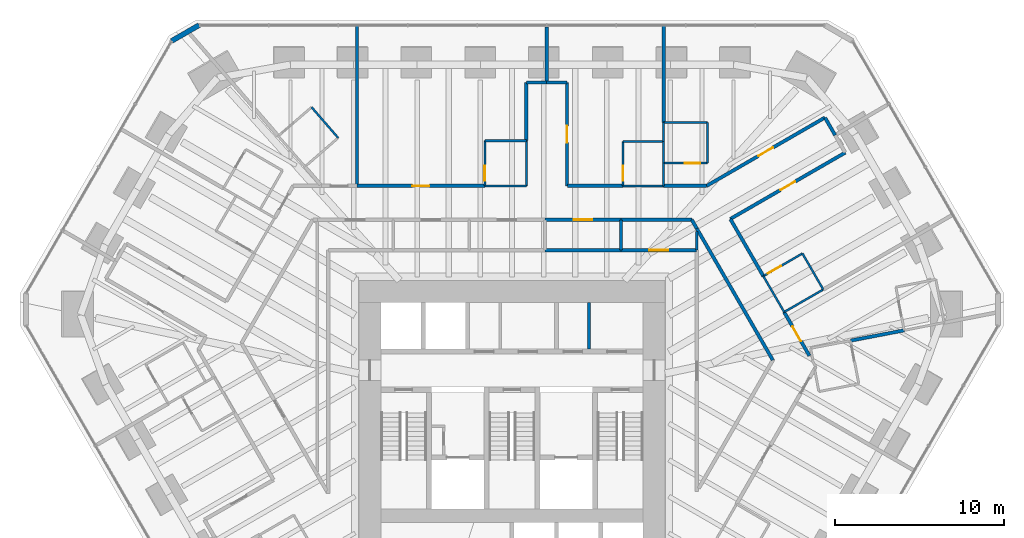
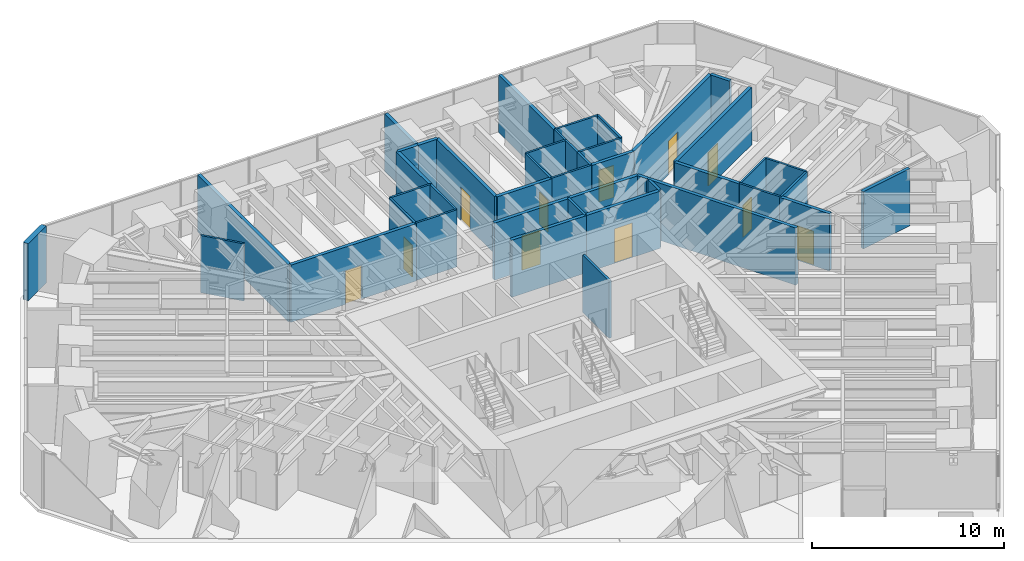
# One storey, part 15 of 17: 44 walls, 11 doors, 11 openings.
"""IFC4 building model written with IfcOpenShell, lengths in metres."""

from ifc_helpers import new_model, si_unit, direction, frame, frame_2d, origin, place, context, subcontext, project, spatial, rectangle, extrude, material, layer, layer_set, type_object, element, fill, save


model = new_model("IFC4")

# Units and contexts
model_context = context("Model", 3, precision=1e-05, world=origin(), true_north=direction((0.0, 1.0)))
body_context = subcontext(model_context, "Body", "Model", "MODEL_VIEW")
ifc_project = project(units=[si_unit("LENGTHUNIT", "METRE"), si_unit("AREAUNIT", "SQUARE_METRE"), si_unit("VOLUMEUNIT", "CUBIC_METRE"), si_unit("PLANEANGLEUNIT", "RADIAN"), si_unit("MASSUNIT", "GRAM", prefix="KILO")], contexts=[model_context])

# Site, building, storey
site_placement = place(None, origin())
site = spatial("IfcSite", under=ifc_project, at=site_placement, CompositionType="ELEMENT")
building_placement = place(site_placement, origin())
building = spatial("IfcBuilding", under=site, at=building_placement, Name="Sandreach Pilgrim Tower", CompositionType="ELEMENT")
storey_placement = place(building_placement, frame((0.0, 0.0, 169.0)))
storey = spatial("IfcBuildingStorey", under=building, at=storey_placement, Name="L42", CompositionType="ELEMENT", Elevation=169.0)

# Walls
ifc_material_1 = material(Name="Gypsum board on steel studs", Category="steel")
ifc_layer_1 = layer(ifc_material_1, 0.14990234375)
ifc_layer_set_1 = layer_set([ifc_layer_1], Name="Back of house wall 150")
wall_type_1 = type_object("IfcWallType", Name="Back of house wall 150", PredefinedType="PARTITIONING", material=ifc_layer_set_1)
wall_1_placement = place(storey_placement, frame((6.43994140625, 10.989990234375, 0.0), z_axis=(0.0, 0.0, 1.0), x_axis=(0.0, -1.0, 0.0)))
element("IfcWall", 1, at=wall_1_placement, inside=storey, type_object=wall_type_1, Name="Back of house wall L42-115", PredefinedType="PARTITIONING", context=body_context, shape_type="SweptSolid", body=[
    extrude(rectangle(XDim=1.7900390625, YDim=0.14990234375, at=frame_2d((0.89501953125, 0.0))), origin(), (0.0, 0.0, 1.0), 3.639892578125),
])
wall_2_placement = place(storey_placement, frame((10.919921875, 10.31005859375, 0.0), z_axis=(0.0, 0.0, 1.0), x_axis=(0.0, -1.0, 0.0)))
element("IfcWall", 2, at=wall_2_placement, inside=storey, type_object=wall_type_1, Name="Back of house wall L42-140", PredefinedType="PARTITIONING", context=body_context, shape_type="SweptSolid", body=[
    extrude(rectangle(XDim=1.110107421875, YDim=0.14990234375, at=frame_2d((0.55517578125, 0.0))), origin(), (0.0, 0.0, 1.0), 3.639892578125),
])
wall_3_placement = place(storey_placement, frame((4.550048828125, 3.35009765625, 0.0), z_axis=(0.0, 0.0, 1.0), x_axis=(0.0, 1.0, 0.0)))
element("IfcWall", 3, at=wall_3_placement, inside=storey, type_object=wall_type_1, Name="Core room partition L42 2", PredefinedType="PARTITIONING", context=body_context, shape_type="SweptSolid", body=[
    extrude(rectangle(XDim=2.75, YDim=0.14990234375, at=frame_2d((1.375, 0.0))), origin(), (0.0, 0.0, 1.0), 3.639892578125),
])
ifc_material_2 = material(Name="Moisture-resistant gypsum board on steel studs", Category="steel")
ifc_layer_2 = layer(ifc_material_2, 0.1201171875)
ifc_layer_set_2 = layer_set([ifc_layer_2], Name="Bathroom partition 120")
wall_type_2 = type_object("IfcWallType", Name="Bathroom partition 120", PredefinedType="PARTITIONING", material=ifc_layer_set_2)
wall_4_placement = place(storey_placement, frame((-10.27001953125, 15.830078125, 0.0), z_axis=(0.0, 0.0, 1.0), x_axis=(-0.655302876176, 0.755366229372, 0.0)))
element("IfcWall", 4, at=wall_4_placement, inside=storey, type_object=wall_type_2, Name="Bathroom partition L42-055", PredefinedType="PARTITIONING", context=body_context, shape_type="SweptSolid", body=[
    extrude(rectangle(XDim=2.39599609375, YDim=0.1201171875, at=frame_2d((1.197998046875, 0.0))), origin(), (0.0, 0.0, 1.0), 3.639892578125),
])

# Wall, opening, door
wall_5_placement = place(storey_placement, frame((-1.60009765625, 15.659912109375, 0.0), z_axis=(0.0, 0.0, 1.0), x_axis=(0.0, -1.0, 0.0)))
wall_5 = element("IfcWall", 5, at=wall_5_placement, inside=storey, type_object=wall_type_2, Name="Bathroom partition L42-088", PredefinedType="PARTITIONING", context=body_context, shape_type="SweptSolid", body=[
    extrude(rectangle(XDim=2.669921875, YDim=0.1201171875, at=frame_2d((1.3349609375, 0.0))), origin(), (0.0, 0.0, 1.0), 3.639892578125),
])
opening_1_placement = place(wall_5_placement, frame((1.469970703125, 0.0, 0.0)))
opening_1 = element("IfcOpeningElement", 6, at=opening_1_placement, cuts=wall_5, Name="Opening D09-02B", PredefinedType="OPENING", context=body_context, shape_type="SweptSolid", body=[
    extrude(rectangle(XDim=0.89990234375, YDim=2.030029296875, at=frame_2d((0.449951171875, 1.01513671875))), frame((0.0, 0.06005859375, 0.0), z_axis=(0.0, -1.0, 0.0), x_axis=(1.0, 0.0, 0.0)), (0.0, 0.0, 1.0), 0.1201171875),
])
ifc_material_3 = material(Name="Timber door, steel frame", Category="steel")
door_type_1 = type_object("IfcDoorType", Name="Bathroom door", OperationType="SINGLE_SWING_LEFT", PredefinedType="DOOR", material=ifc_material_3)
door_1_placement = place(opening_1_placement, origin())
door_1 = element("IfcDoor", 7, at=door_1_placement, inside=storey, type_object=door_type_1, Name="Door 4202B", OperationType="SINGLE_SWING_RIGHT", OverallHeight=2.030029296875, OverallWidth=0.89990234375, PredefinedType="DOOR", context=body_context, shape_type="SweptSolid", body=[
    extrude(rectangle(XDim=0.89990234375, YDim=2.030029296875, at=frame_2d((0.449951171875, 1.01513671875))), frame((0.0, 0.02490234375, 0.0), z_axis=(0.0, -1.0, 0.0), x_axis=(1.0, 0.0, 0.0)), (0.0, 0.0, 1.0), 0.050048828125),
])
fill(opening_1, door_1)

# Walls
for number, where, z_axis, x_axis, name in (
    (8, (0.85009765625, 12.989990234375, 0.0), (0.0, 0.0, 1.0), (-1.0, 0.0, 0.0), "Bathroom partition L42-092"),
    (9, (0.85009765625, 15.659912109375, 0.0), (0.0, 0.0, 1.0), (-1.0, 0.0, 0.0), "Bathroom partition L42-093"),
):
    element("IfcWall", number, at=place(storey_placement, frame(where, z_axis=z_axis, x_axis=x_axis)), inside=storey, type_object=wall_type_2, Name=name, PredefinedType="PARTITIONING", context=body_context, shape_type="SweptSolid", body=[
        extrude(rectangle(XDim=2.4501953125, YDim=0.1201171875, at=frame_2d((1.22509765625, 0.0))), origin(), (0.0, 0.0, 1.0), 3.639892578125),
    ])
wall_6_placement = place(storey_placement, frame((0.85009765625, 15.659912109375, 0.0), z_axis=(0.0, 0.0, 1.0), x_axis=(0.0, -1.0, 0.0)))
element("IfcWall", 10, at=wall_6_placement, inside=storey, type_object=wall_type_2, Name="Bathroom partition L42-094", PredefinedType="PARTITIONING", context=body_context, shape_type="SweptSolid", body=[
    extrude(rectangle(XDim=2.669921875, YDim=0.1201171875, at=frame_2d((1.3349609375, 0.0))), origin(), (0.0, 0.0, 1.0), 3.639892578125),
])

# Wall, opening, door
wall_7_placement = place(storey_placement, frame((6.56005859375, 15.610107421875, 0.0), z_axis=(0.0, 0.0, 1.0), x_axis=(0.0, -1.0, 0.0)))
wall_7 = element("IfcWall", 11, at=wall_7_placement, inside=storey, type_object=wall_type_2, Name="Bathroom partition L42-118", PredefinedType="PARTITIONING", context=body_context, shape_type="SweptSolid", body=[
    extrude(rectangle(XDim=2.6201171875, YDim=0.1201171875, at=frame_2d((1.31005859375, 0.0))), origin(), (0.0, 0.0, 1.0), 3.639892578125),
])
opening_2_placement = place(wall_7_placement, frame((1.419921875, 0.0, 0.0)))
opening_2 = element("IfcOpeningElement", 12, at=opening_2_placement, cuts=wall_7, Name="Opening D09-03B", PredefinedType="OPENING", context=body_context, shape_type="SweptSolid", body=[
    extrude(rectangle(XDim=0.89990234375, YDim=2.030029296875, at=frame_2d((0.449951171875, 1.01513671875))), frame((0.0, 0.06005859375, 0.0), z_axis=(0.0, -1.0, 0.0), x_axis=(1.0, 0.0, 0.0)), (0.0, 0.0, 1.0), 0.1201171875),
])
door_2_placement = place(opening_2_placement, origin())
door_2 = element("IfcDoor", 13, at=door_2_placement, inside=storey, type_object=door_type_1, Name="Door 4203B", OperationType="SINGLE_SWING_RIGHT", OverallHeight=2.030029296875, OverallWidth=0.89990234375, PredefinedType="DOOR", context=body_context, shape_type="SweptSolid", body=[
    extrude(rectangle(XDim=0.89990234375, YDim=2.030029296875, at=frame_2d((0.449951171875, 1.01513671875))), frame((0.0, 0.02490234375, 0.0), z_axis=(0.0, -1.0, 0.0), x_axis=(1.0, 0.0, 0.0)), (0.0, 0.0, 1.0), 0.050048828125),
])
fill(opening_2, door_2)

# Walls
wall_8_placement = place(storey_placement, frame((8.9599609375, 12.989990234375, 0.0), z_axis=(0.0, 0.0, 1.0), x_axis=(-1.0, 0.0, 0.0)))
element("IfcWall", 14, at=wall_8_placement, inside=storey, type_object=wall_type_2, Name="Bathroom partition L42-126", PredefinedType="PARTITIONING", context=body_context, shape_type="SweptSolid", body=[
    extrude(rectangle(XDim=2.39990234375, YDim=0.1201171875, at=frame_2d((1.199951171875, 0.0))), origin(), (0.0, 0.0, 1.0), 3.639892578125),
])
wall_9_placement = place(storey_placement, frame((8.9599609375, 14.340087890625, 0.0), z_axis=(0.0, 0.0, 1.0), x_axis=(0.0, -1.0, 0.0)))
element("IfcWall", 15, at=wall_9_placement, inside=storey, type_object=wall_type_2, Name="Bathroom partition L42-127", PredefinedType="PARTITIONING", context=body_context, shape_type="SweptSolid", body=[
    extrude(rectangle(XDim=1.35009765625, YDim=0.1201171875, at=frame_2d((0.675048828125, 0.0))), origin(), (0.0, 0.0, 1.0), 3.639892578125),
])

# Wall, opening, door
wall_10_placement = place(storey_placement, frame((8.9599609375, 14.340087890625, 0.0), z_axis=(0.0, 0.0, 1.0), x_axis=(1.0, 0.0, 0.0)))
wall_10 = element("IfcWall", 16, at=wall_10_placement, inside=storey, type_object=wall_type_2, Name="Bathroom partition L42-128", PredefinedType="PARTITIONING", context=body_context, shape_type="SweptSolid", body=[
    extrude(rectangle(XDim=2.60009765625, YDim=0.1201171875, at=frame_2d((1.300048828125, 0.0))), origin(), (0.0, 0.0, 1.0), 3.639892578125),
])
opening_3_placement = place(wall_10_placement, frame((1.25, 0.0, 0.0)))
opening_3 = element("IfcOpeningElement", 17, at=opening_3_placement, cuts=wall_10, Name="Opening D09-04B", PredefinedType="OPENING", context=body_context, shape_type="SweptSolid", body=[
    extrude(rectangle(XDim=0.89990234375, YDim=2.030029296875, at=frame_2d((0.449951171875, 1.01513671875))), frame((0.0, 0.06005859375, 0.0), z_axis=(0.0, -1.0, 0.0), x_axis=(1.0, 0.0, 0.0)), (0.0, 0.0, 1.0), 0.1201171875),
])
door_3_placement = place(opening_3_placement, origin())
door_3 = element("IfcDoor", 18, at=door_3_placement, inside=storey, type_object=door_type_1, Name="Door 4204B", OperationType="SINGLE_SWING_RIGHT", OverallHeight=2.030029296875, OverallWidth=0.89990234375, PredefinedType="DOOR", context=body_context, shape_type="SweptSolid", body=[
    extrude(rectangle(XDim=0.89990234375, YDim=2.030029296875, at=frame_2d((0.449951171875, 1.01513671875))), frame((0.0, 0.02490234375, 0.0), z_axis=(0.0, -1.0, 0.0), x_axis=(1.0, 0.0, 0.0)), (0.0, 0.0, 1.0), 0.050048828125),
])
fill(opening_3, door_3)

# Walls
wall_11_placement = place(storey_placement, frame((8.9599609375, 15.610107421875, 0.0), z_axis=(0.0, 0.0, 1.0), x_axis=(-1.0, 0.0, 0.0)))
element("IfcWall", 19, at=wall_11_placement, inside=storey, type_object=wall_type_2, Name="Bathroom partition L42-129", PredefinedType="PARTITIONING", context=body_context, shape_type="SweptSolid", body=[
    extrude(rectangle(XDim=2.39990234375, YDim=0.1201171875, at=frame_2d((1.199951171875, 0.0))), origin(), (0.0, 0.0, 1.0), 3.639892578125),
])
wall_12_placement = place(storey_placement, frame((8.9599609375, 15.610107421875, 0.0), z_axis=(0.0, 0.0, 1.0), x_axis=(0.0, -1.0, 0.0)))
element("IfcWall", 20, at=wall_12_placement, inside=storey, type_object=wall_type_2, Name="Bathroom partition L42-130", PredefinedType="PARTITIONING", context=body_context, shape_type="SweptSolid", body=[
    extrude(rectangle(XDim=1.27001953125, YDim=0.1201171875, at=frame_2d((0.635009765625, 0.0))), origin(), (0.0, 0.0, 1.0), 3.639892578125),
])
wall_13_placement = place(storey_placement, frame((8.9599609375, 16.739990234375, 0.0), z_axis=(0.0, 0.0, 1.0), x_axis=(0.0, -1.0, 0.0)))
element("IfcWall", 21, at=wall_13_placement, inside=storey, type_object=wall_type_2, Name="Bathroom partition L42-131", PredefinedType="PARTITIONING", context=body_context, shape_type="SweptSolid", body=[
    extrude(rectangle(XDim=1.1298828125, YDim=0.1201171875, at=frame_2d((0.56494140625, 0.0))), origin(), (0.0, 0.0, 1.0), 3.639892578125),
])
wall_14_placement = place(storey_placement, frame((11.56005859375, 14.340087890625, 0.0), z_axis=(0.0, 0.0, 1.0), x_axis=(0.0, 1.0, 0.0)))
element("IfcWall", 22, at=wall_14_placement, inside=storey, type_object=wall_type_2, Name="Bathroom partition L42-143", PredefinedType="PARTITIONING", context=body_context, shape_type="SweptSolid", body=[
    extrude(rectangle(XDim=2.39990234375, YDim=0.1201171875, at=frame_2d((1.199951171875, 0.0))), origin(), (0.0, 0.0, 1.0), 3.639892578125),
])
wall_15_placement = place(storey_placement, frame((11.56005859375, 16.739990234375, 0.0), z_axis=(0.0, 0.0, 1.0), x_axis=(-1.0, 0.0, 0.0)))
element("IfcWall", 23, at=wall_15_placement, inside=storey, type_object=wall_type_2, Name="Bathroom partition L42-144", PredefinedType="PARTITIONING", context=body_context, shape_type="SweptSolid", body=[
    extrude(rectangle(XDim=2.60009765625, YDim=0.1201171875, at=frame_2d((1.300048828125, 0.0))), origin(), (0.0, 0.0, 1.0), 3.639892578125),
])
wall_16_placement = place(storey_placement, frame((14.85009765625, 7.659912109375, 0.0), z_axis=(0.0, 0.0, 1.0), x_axis=(0.501856726365, -0.86495076519, 0.0)))
element("IfcWall", 24, at=wall_16_placement, inside=storey, type_object=wall_type_2, Name="Bathroom partition L42-152", PredefinedType="PARTITIONING", context=body_context, shape_type="SweptSolid", body=[
    extrude(rectangle(XDim=2.450927734375, YDim=0.1201171875, at=frame_2d((1.2255859375, 0.0))), origin(), (0.0, 0.0, 1.0), 3.639892578125),
])
wall_17_placement = place(storey_placement, frame((16.080078125, 5.5400390625, 0.0), z_axis=(0.0, 0.0, 1.0), x_axis=(0.86663205897, 0.498947767172, 0.0)))
element("IfcWall", 25, at=wall_17_placement, inside=storey, type_object=wall_type_2, Name="Bathroom partition L42-158", PredefinedType="PARTITIONING", context=body_context, shape_type="SweptSolid", body=[
    extrude(rectangle(XDim=2.665283203125, YDim=0.1201171875, at=frame_2d((1.33251953125, 0.0))), origin(), (0.0, 0.0, 1.0), 3.639892578125),
])

# Wall, opening, door
wall_18_placement = place(storey_placement, frame((17.159912109375, 9.0, 0.0), z_axis=(0.0, 0.0, 1.0), x_axis=(-0.864966903181, -0.501828911485, 0.0)))
wall_18 = element("IfcWall", 26, at=wall_18_placement, inside=storey, type_object=wall_type_2, Name="Bathroom partition L42-160", PredefinedType="PARTITIONING", context=body_context, shape_type="SweptSolid", body=[
    extrude(rectangle(XDim=2.67041015625, YDim=0.1201171875, at=frame_2d((1.335205078125, 0.0))), origin(), (0.0, 0.0, 1.0), 3.639892578125),
])
opening_4_placement = place(wall_18_placement, frame((1.470458984375, 0.0, 0.0)))
opening_4 = element("IfcOpeningElement", 27, at=opening_4_placement, cuts=wall_18, Name="Opening D09-05B", PredefinedType="OPENING", context=body_context, shape_type="SweptSolid", body=[
    extrude(rectangle(XDim=0.89990234375, YDim=2.030029296875, at=frame_2d((0.449951171875, 1.01513671875))), frame((0.0, 0.06005859375, 0.0), z_axis=(0.0, -1.0, 0.0), x_axis=(1.0, 0.0, 0.0)), (0.0, 0.0, 1.0), 0.1201171875),
])
door_4_placement = place(opening_4_placement, origin())
door_4 = element("IfcDoor", 28, at=door_4_placement, inside=storey, type_object=door_type_1, Name="Door 4205B", OperationType="SINGLE_SWING_RIGHT", OverallHeight=2.030029296875, OverallWidth=0.89990234375, PredefinedType="DOOR", context=body_context, shape_type="SweptSolid", body=[
    extrude(rectangle(XDim=0.89990234375, YDim=2.030029296875, at=frame_2d((0.449951171875, 1.01513671875))), frame((0.0, 0.02490234375, 0.0), z_axis=(0.0, -1.0, 0.0), x_axis=(1.0, 0.0, 0.0)), (0.0, 0.0, 1.0), 0.050048828125),
])
fill(opening_4, door_4)

# Wall
wall_19_placement = place(storey_placement, frame((18.389892578125, 6.8701171875, 0.0), z_axis=(0.0, 0.0, 1.0), x_axis=(-0.500089055364, 0.86597398154, 0.0)))
element("IfcWall", 29, at=wall_19_placement, inside=storey, type_object=wall_type_2, Name="Bathroom partition L42-168", PredefinedType="PARTITIONING", context=body_context, shape_type="SweptSolid", body=[
    extrude(rectangle(XDim=2.45947265625, YDim=0.1201171875, at=frame_2d((1.229736328125, 0.0))), origin(), (0.0, 0.0, 1.0), 3.639892578125),
])

# Wall, opening, door
ifc_material_4 = material(Name="Gypsum board on steel studs, two layers each side", Category="steel")
ifc_layer_3 = layer(ifc_material_4, 0.199951171875)
ifc_layer_set_3 = layer_set([ifc_layer_3], Name="Corridor wall 200")
wall_type_3 = type_object("IfcWallType", Name="Corridor wall 200", PredefinedType="PARTITIONING", material=ifc_layer_set_3)
wall_20_placement = place(storey_placement, frame((-1.60009765625, 12.989990234375, 0.0), z_axis=(0.0, 0.0, 1.0), x_axis=(-1.0, 0.0, 0.0)))
wall_20 = element("IfcWall", 30, at=wall_20_placement, inside=storey, type_object=wall_type_3, Name="Corridor wall L42-087", PredefinedType="PARTITIONING", context=body_context, shape_type="SweptSolid", body=[
    extrude(rectangle(XDim=7.559814453125, YDim=0.199951171875, at=frame_2d((3.77978515625, 0.0))), origin(), (0.0, 0.0, 1.0), 3.639892578125),
])
opening_5_placement = place(wall_20_placement, frame((3.280029296875, 0.0, 0.0)))
opening_5 = element("IfcOpeningElement", 31, at=opening_5_placement, cuts=wall_20, Name="Opening D10-02", PredefinedType="OPENING", context=body_context, shape_type="SweptSolid", body=[
    extrude(rectangle(XDim=1.0, YDim=2.1298828125, at=frame_2d((0.5, 1.06494140625))), frame((0.0, 0.10009765625, 0.0), z_axis=(0.0, -1.0, 0.0), x_axis=(1.0, 0.0, 0.0)), (0.0, 0.0, 1.0), 0.199951171875),
])
ifc_material_5 = material(Name="Steel door and frame", Category="steel")
door_type_2 = type_object("IfcDoorType", Name="Guest room entry door", OperationType="SINGLE_SWING_LEFT", PredefinedType="DOOR", material=ifc_material_5)
door_5_placement = place(opening_5_placement, origin())
door_5 = element("IfcDoor", 32, at=door_5_placement, inside=storey, type_object=door_type_2, Name="Door 4202", OperationType="SINGLE_SWING_LEFT", OverallHeight=2.1298828125, OverallWidth=1.0, PredefinedType="DOOR", context=body_context, shape_type="SweptSolid", body=[
    extrude(rectangle(XDim=1.0, YDim=2.1298828125, at=frame_2d((0.5, 1.06494140625))), frame((0.0, 0.02490234375, 0.0), z_axis=(0.0, -1.0, 0.0), x_axis=(1.0, 0.0, 0.0)), (0.0, 0.0, 1.0), 0.050048828125),
])
fill(opening_5, door_5)

# Wall
wall_21_placement = place(storey_placement, frame((0.85009765625, 19.10009765625, 0.0), z_axis=(0.0, 0.0, 1.0), x_axis=(0.0, -1.0, 0.0)))
element("IfcWall", 33, at=wall_21_placement, inside=storey, type_object=wall_type_3, Name="Corridor wall L42-095", PredefinedType="PARTITIONING", context=body_context, shape_type="SweptSolid", body=[
    extrude(rectangle(XDim=3.440185546875, YDim=0.199951171875, at=frame_2d((1.72021484375, 0.0))), origin(), (0.0, 0.0, 1.0), 3.639892578125),
])

# Wall, opening, door
wall_22_placement = place(storey_placement, frame((1.949951171875, 10.989990234375, 0.0), z_axis=(0.0, 0.0, 1.0), x_axis=(1.0, 0.0, 0.0)))
wall_22 = element("IfcWall", 34, at=wall_22_placement, inside=storey, type_object=wall_type_3, Name="Corridor wall L42-100", PredefinedType="PARTITIONING", context=body_context, shape_type="SweptSolid", body=[
    extrude(rectangle(XDim=4.489990234375, YDim=0.199951171875, at=frame_2d((2.2451171875, 0.0))), origin(), (0.0, 0.0, 1.0), 3.639892578125),
])
opening_6_placement = place(wall_22_placement, frame((1.695068359375, 0.0, 0.0)))
opening_6 = element("IfcOpeningElement", 35, at=opening_6_placement, cuts=wall_22, Name="Opening D11H-M05", PredefinedType="OPENING", context=body_context, shape_type="SweptSolid", body=[
    extrude(rectangle(XDim=1.10009765625, YDim=2.199951171875, at=frame_2d((0.550048828125, 1.10009765625))), frame((0.0, 0.10009765625, 0.0), z_axis=(0.0, -1.0, 0.0), x_axis=(1.0, 0.0, 0.0)), (0.0, 0.0, 1.0), 0.199951171875),
])
ifc_material_6 = material(Name="Steel door and frame", Category="steel")
door_type_3 = type_object("IfcDoorType", Name="Back of house door", OperationType="SINGLE_SWING_LEFT", PredefinedType="DOOR", material=ifc_material_6)
door_6_placement = place(opening_6_placement, origin())
door_6 = element("IfcDoor", 36, at=door_6_placement, inside=storey, type_object=door_type_3, Name="Door 42M05", OperationType="SINGLE_SWING_LEFT", OverallHeight=2.199951171875, OverallWidth=1.10009765625, PredefinedType="DOOR", context=body_context, shape_type="SweptSolid", body=[
    extrude(rectangle(XDim=1.10009765625, YDim=2.199951171875, at=frame_2d((0.550048828125, 1.10009765625))), frame((0.0, 0.02490234375, 0.0), z_axis=(0.0, -1.0, 0.0), x_axis=(1.0, 0.0, 0.0)), (0.0, 0.0, 1.0), 0.050048828125),
])
fill(opening_6, door_6)

# Walls
for number, where, z_axis, x_axis, name in (
    (37, (2.050048828125, 19.10009765625, 0.0), (0.0, 0.0, 1.0), (-1.0, 0.0, 0.0), "Corridor wall L42-101"),
    (38, (3.235107421875, 19.10009765625, 0.0), (0.0, 0.0, 1.0), (-1.0, 0.0, 0.0), "Corridor wall L42-105"),
):
    element("IfcWall", number, at=place(storey_placement, frame(where, z_axis=z_axis, x_axis=x_axis)), inside=storey, type_object=wall_type_3, Name=name, PredefinedType="PARTITIONING", context=body_context, shape_type="SweptSolid", body=[
        extrude(rectangle(XDim=1.18505859375, YDim=0.199951171875, at=frame_2d((0.592529296875, 0.0))), origin(), (0.0, 0.0, 1.0), 3.639892578125),
    ])

# Wall, opening, door
wall_23_placement = place(storey_placement, frame((3.25, 12.989990234375, 0.0), z_axis=(0.0, 0.0, 1.0), x_axis=(0.0, 1.0, 0.0)))
wall_23 = element("IfcWall", 39, at=wall_23_placement, inside=storey, type_object=wall_type_3, Name="Corridor wall L42-106", PredefinedType="PARTITIONING", context=body_context, shape_type="SweptSolid", body=[
    extrude(rectangle(XDim=6.110107421875, YDim=0.199951171875, at=frame_2d((3.05517578125, 0.0))), origin(), (0.0, 0.0, 1.0), 3.639892578125),
])
opening_7_placement = place(wall_23_placement, frame((2.554931640625, 0.0, 0.0)))
opening_7 = element("IfcOpeningElement", 40, at=opening_7_placement, cuts=wall_23, Name="Opening D10-03", PredefinedType="OPENING", context=body_context, shape_type="SweptSolid", body=[
    extrude(rectangle(XDim=1.0, YDim=2.1298828125, at=frame_2d((0.5, 1.06494140625))), frame((0.0, 0.10009765625, 0.0), z_axis=(0.0, -1.0, 0.0), x_axis=(1.0, 0.0, 0.0)), (0.0, 0.0, 1.0), 0.199951171875),
])
door_7_placement = place(opening_7_placement, origin())
door_7 = element("IfcDoor", 41, at=door_7_placement, inside=storey, type_object=door_type_2, Name="Door 4203", OperationType="SINGLE_SWING_LEFT", OverallHeight=2.1298828125, OverallWidth=1.0, PredefinedType="DOOR", context=body_context, shape_type="SweptSolid", body=[
    extrude(rectangle(XDim=1.0, YDim=2.1298828125, at=frame_2d((0.5, 1.06494140625))), frame((0.0, 0.02490234375, 0.0), z_axis=(0.0, -1.0, 0.0), x_axis=(1.0, 0.0, 0.0)), (0.0, 0.0, 1.0), 0.050048828125),
])
fill(opening_7, door_7)

# Walls
wall_24_placement = place(storey_placement, frame((6.43994140625, 9.199951171875, 0.0), z_axis=(0.0, 0.0, 1.0), x_axis=(-1.0, 0.0, 0.0)))
element("IfcWall", 42, at=wall_24_placement, inside=storey, type_object=wall_type_3, Name="Corridor wall L42-114", PredefinedType="PARTITIONING", context=body_context, shape_type="SweptSolid", body=[
    extrude(rectangle(XDim=4.489990234375, YDim=0.199951171875, at=frame_2d((2.2451171875, 0.0))), origin(), (0.0, 0.0, 1.0), 3.639892578125),
])
wall_25_placement = place(storey_placement, frame((6.43994140625, 10.989990234375, 0.0), z_axis=(0.0, 0.0, 1.0), x_axis=(1.0, 0.0, 0.0)))
element("IfcWall", 43, at=wall_25_placement, inside=storey, type_object=wall_type_3, Name="Corridor wall L42-116", PredefinedType="PARTITIONING", context=body_context, shape_type="SweptSolid", body=[
    extrude(rectangle(XDim=4.18017578125, YDim=0.199951171875, at=frame_2d((2.090087890625, 0.0))), origin(), (0.0, 0.0, 1.0), 3.639892578125),
])
wall_26_placement = place(storey_placement, frame((6.56005859375, 12.989990234375, 0.0), z_axis=(0.0, 0.0, 1.0), x_axis=(-1.0, 0.0, 0.0)))
element("IfcWall", 44, at=wall_26_placement, inside=storey, type_object=wall_type_3, Name="Corridor wall L42-117", PredefinedType="PARTITIONING", context=body_context, shape_type="SweptSolid", body=[
    extrude(rectangle(XDim=3.295166015625, YDim=0.199951171875, at=frame_2d((1.6474609375, 0.0))), origin(), (0.0, 0.0, 1.0), 3.639892578125),
])
wall_27_placement = place(storey_placement, frame((10.6201171875, 10.989990234375, 0.0), z_axis=(0.0, 0.0, 1.0), x_axis=(0.499464218792, -0.866334516308, 0.0)))
element("IfcWall", 45, at=wall_27_placement, inside=storey, type_object=wall_type_3, Name="Corridor wall L42-136", PredefinedType="PARTITIONING", context=body_context, shape_type="SweptSolid", body=[
    extrude(rectangle(XDim=0.600341796875, YDim=0.199951171875, at=frame_2d((0.30029296875, 0.0))), origin(), (0.0, 0.0, 1.0), 3.639892578125),
])

# Wall, opening, door
wall_28_placement = place(storey_placement, frame((10.905029296875, 9.199951171875, 0.0), z_axis=(0.0, 0.0, 1.0), x_axis=(-1.0, 0.0, 0.0)))
wall_28 = element("IfcWall", 46, at=wall_28_placement, inside=storey, type_object=wall_type_3, Name="Corridor wall L42-138", PredefinedType="PARTITIONING", context=body_context, shape_type="SweptSolid", body=[
    extrude(rectangle(XDim=4.465087890625, YDim=0.199951171875, at=frame_2d((2.232421875, 0.0))), origin(), (0.0, 0.0, 1.0), 3.639892578125),
])
opening_8_placement = place(wall_28_placement, frame((1.6826171875, 0.0, 0.0)))
opening_8 = element("IfcOpeningElement", 47, at=opening_8_placement, cuts=wall_28, Name="Opening D11H-M06", PredefinedType="OPENING", context=body_context, shape_type="SweptSolid", body=[
    extrude(rectangle(XDim=1.10009765625, YDim=2.199951171875, at=frame_2d((0.550048828125, 1.10009765625))), frame((0.0, 0.10009765625, 0.0), z_axis=(0.0, -1.0, 0.0), x_axis=(1.0, 0.0, 0.0)), (0.0, 0.0, 1.0), 0.199951171875),
])
door_8_placement = place(opening_8_placement, origin())
door_8 = element("IfcDoor", 48, at=door_8_placement, inside=storey, type_object=door_type_3, Name="Door 42M06", OperationType="SINGLE_SWING_LEFT", OverallHeight=2.199951171875, OverallWidth=1.10009765625, PredefinedType="DOOR", context=body_context, shape_type="SweptSolid", body=[
    extrude(rectangle(XDim=1.10009765625, YDim=2.199951171875, at=frame_2d((0.550048828125, 1.10009765625))), frame((0.0, 0.02490234375, 0.0), z_axis=(0.0, -1.0, 0.0), x_axis=(1.0, 0.0, 0.0)), (0.0, 0.0, 1.0), 0.050048828125),
])
fill(opening_8, door_8)

# Walls
wall_29_placement = place(storey_placement, frame((10.919921875, 10.469970703125, 0.0), z_axis=(0.0, 0.0, 1.0), x_axis=(0.500331533983, -0.865833907919, 0.0)))
element("IfcWall", 49, at=wall_29_placement, inside=storey, type_object=wall_type_3, Name="Corridor wall L42-141", PredefinedType="PARTITIONING", context=body_context, shape_type="SweptSolid", body=[
    extrude(rectangle(XDim=8.97412109375, YDim=0.199951171875, at=frame_2d((4.487060546875, 0.0))), origin(), (0.0, 0.0, 1.0), 3.639892578125),
])
wall_30_placement = place(storey_placement, frame((11.489990234375, 12.989990234375, 0.0), z_axis=(0.0, 0.0, 1.0), x_axis=(-1.0, 0.0, 0.0)))
element("IfcWall", 50, at=wall_30_placement, inside=storey, type_object=wall_type_3, Name="Corridor wall L42-142", PredefinedType="PARTITIONING", context=body_context, shape_type="SweptSolid", body=[
    extrude(rectangle(XDim=2.530029296875, YDim=0.199951171875, at=frame_2d((1.26513671875, 0.0))), origin(), (0.0, 0.0, 1.0), 3.639892578125),
])

# Wall, opening, door
wall_31_placement = place(storey_placement, frame((12.89990234375, 11.0400390625, 0.0), z_axis=(0.0, 0.0, 1.0), x_axis=(0.866042469362, 0.499970440388, 0.0)))
wall_31 = element("IfcWall", 51, at=wall_31_placement, inside=storey, type_object=wall_type_3, Name="Corridor wall L42-146", PredefinedType="PARTITIONING", context=body_context, shape_type="SweptSolid", body=[
    extrude(rectangle(XDim=7.84033203125, YDim=0.199951171875, at=frame_2d((3.920166015625, 0.0))), origin(), (0.0, 0.0, 1.0), 3.639892578125),
])
opening_9_placement = place(wall_31_placement, frame((3.420166015625, 0.0, 0.0)))
opening_9 = element("IfcOpeningElement", 52, at=opening_9_placement, cuts=wall_31, Name="Opening D10-05", PredefinedType="OPENING", context=body_context, shape_type="SweptSolid", body=[
    extrude(rectangle(XDim=1.0, YDim=2.1298828125, at=frame_2d((0.5, 1.06494140625))), frame((0.0, 0.10009765625, 0.0), z_axis=(0.0, -1.0, 0.0), x_axis=(1.0, 0.0, 0.0)), (0.0, 0.0, 1.0), 0.199951171875),
])
door_9_placement = place(opening_9_placement, origin())
door_9 = element("IfcDoor", 53, at=door_9_placement, inside=storey, type_object=door_type_2, Name="Door 4205", OperationType="SINGLE_SWING_LEFT", OverallHeight=2.1298828125, OverallWidth=1.0, PredefinedType="DOOR", context=body_context, shape_type="SweptSolid", body=[
    extrude(rectangle(XDim=1.0, YDim=2.1298828125, at=frame_2d((0.5, 1.06494140625))), frame((0.0, 0.02490234375, 0.0), z_axis=(0.0, -1.0, 0.0), x_axis=(1.0, 0.0, 0.0)), (0.0, 0.0, 1.0), 0.050048828125),
])
fill(opening_9, door_9)

# Wall
wall_32_placement = place(storey_placement, frame((12.905029296875, 11.03125, 0.0), z_axis=(0.0, 0.0, 1.0), x_axis=(0.499735123875, -0.866178276087, 0.0)))
element("IfcWall", 54, at=wall_32_placement, inside=storey, type_object=wall_type_3, Name="Corridor wall L42-147", PredefinedType="PARTITIONING", context=body_context, shape_type="SweptSolid", body=[
    extrude(rectangle(XDim=3.89208984375, YDim=0.199951171875, at=frame_2d((1.946044921875, 0.0))), origin(), (0.0, 0.0, 1.0), 3.639892578125),
])

# Wall, opening, door
wall_33_placement = place(storey_placement, frame((16.078125, 5.538818359375, 0.0), z_axis=(0.0, 0.0, 1.0), x_axis=(0.500694494545, -0.865624065708, 0.0)))
wall_33 = element("IfcWall", 55, at=wall_33_placement, inside=storey, type_object=wall_type_3, Name="Corridor wall L42-157", PredefinedType="PARTITIONING", context=body_context, shape_type="SweptSolid", body=[
    extrude(rectangle(XDim=2.985107421875, YDim=0.199951171875, at=frame_2d((1.49267578125, 0.0))), origin(), (0.0, 0.0, 1.0), 3.639892578125),
])
opening_10_placement = place(wall_33_placement, frame((0.99267578125, 0.0, 0.0)))
opening_10 = element("IfcOpeningElement", 56, at=opening_10_placement, cuts=wall_33, Name="Opening D10-06", PredefinedType="OPENING", context=body_context, shape_type="SweptSolid", body=[
    extrude(rectangle(XDim=1.0, YDim=2.1298828125, at=frame_2d((0.5, 1.06494140625))), frame((0.0, 0.10009765625, 0.0), z_axis=(0.0, -1.0, 0.0), x_axis=(1.0, 0.0, 0.0)), (0.0, 0.0, 1.0), 0.199951171875),
])
door_10_placement = place(opening_10_placement, origin())
door_10 = element("IfcDoor", 57, at=door_10_placement, inside=storey, type_object=door_type_2, Name="Door 4206", OperationType="SINGLE_SWING_LEFT", OverallHeight=2.1298828125, OverallWidth=1.0, PredefinedType="DOOR", context=body_context, shape_type="SweptSolid", body=[
    extrude(rectangle(XDim=1.0, YDim=2.1298828125, at=frame_2d((0.5, 1.06494140625))), frame((0.0, 0.02490234375, 0.0), z_axis=(0.0, -1.0, 0.0), x_axis=(1.0, 0.0, 0.0)), (0.0, 0.0, 1.0), 0.050048828125),
])
fill(opening_10, door_10)

wall_34_placement = place(storey_placement, frame((18.489990234375, 17.030029296875, 0.0), z_axis=(0.0, 0.0, 1.0), x_axis=(-0.866101087359, -0.499868889286, 0.0)))
wall_34 = element("IfcWall", 58, at=wall_34_placement, inside=storey, type_object=wall_type_3, Name="Corridor wall L42-170", PredefinedType="PARTITIONING", context=body_context, shape_type="SweptSolid", body=[
    extrude(rectangle(XDim=8.082275390625, YDim=0.199951171875, at=frame_2d((4.041015625, 0.0))), origin(), (0.0, 0.0, 1.0), 3.639892578125),
])
opening_11_placement = place(wall_34_placement, frame((3.541015625, 0.0, 0.0)))
opening_11 = element("IfcOpeningElement", 59, at=opening_11_placement, cuts=wall_34, Name="Opening D10-04", PredefinedType="OPENING", context=body_context, shape_type="SweptSolid", body=[
    extrude(rectangle(XDim=1.0, YDim=2.1298828125, at=frame_2d((0.5, 1.06494140625))), frame((0.0, 0.10009765625, 0.0), z_axis=(0.0, -1.0, 0.0), x_axis=(1.0, 0.0, 0.0)), (0.0, 0.0, 1.0), 0.199951171875),
])
door_11_placement = place(opening_11_placement, origin())
door_11 = element("IfcDoor", 60, at=door_11_placement, inside=storey, type_object=door_type_2, Name="Door 4204", OperationType="SINGLE_SWING_LEFT", OverallHeight=2.1298828125, OverallWidth=1.0, PredefinedType="DOOR", context=body_context, shape_type="SweptSolid", body=[
    extrude(rectangle(XDim=1.0, YDim=2.1298828125, at=frame_2d((0.5, 1.06494140625))), frame((0.0, 0.02490234375, 0.0), z_axis=(0.0, -1.0, 0.0), x_axis=(1.0, 0.0, 0.0)), (0.0, 0.0, 1.0), 0.050048828125),
])
fill(opening_11, door_11)

# Walls
wall_35_placement = place(storey_placement, frame((18.49755859375, 17.01708984375, 0.0), z_axis=(0.0, 0.0, 1.0), x_axis=(0.499704629046, -0.866195869137, 0.0)))
element("IfcWall", 61, at=wall_35_placement, inside=storey, type_object=wall_type_3, Name="Corridor wall L42-171", PredefinedType="PARTITIONING", context=body_context, shape_type="SweptSolid", body=[
    extrude(rectangle(XDim=1.185791015625, YDim=0.199951171875, at=frame_2d((0.5927734375, 0.0))), origin(), (0.0, 0.0, 1.0), 3.639892578125),
])
ifc_material_7 = material(Name="Double steel stud acoustic wall, gypsum board", Category="steel")
ifc_layer_4 = layer(ifc_material_7, 0.199951171875)
ifc_layer_set_4 = layer_set([ifc_layer_4], Name="Party wall 200")
wall_type_4 = type_object("IfcWallType", Name="Party wall 200", PredefinedType="PARTITIONING", material=ifc_layer_set_4)
wall_36_placement = place(storey_placement, frame((-9.159912109375, 22.4599609375, 0.0), z_axis=(0.0, 0.0, 1.0), x_axis=(0.0, -1.0, 0.0)))
element("IfcWall", 62, at=wall_36_placement, inside=storey, type_object=wall_type_4, Name="Party wall L42-059", PredefinedType="PARTITIONING", context=body_context, shape_type="SweptSolid", body=[
    extrude(rectangle(XDim=9.455078125, YDim=0.199951171875, at=frame_2d((4.7275390625, 0.0))), origin(), (0.0, 0.0, 1.0), 3.639892578125),
])
wall_37_placement = place(storey_placement, frame((2.050048828125, 22.3701171875, 0.0), z_axis=(0.0, 0.0, 1.0), x_axis=(0.0, -1.0, 0.0)))
element("IfcWall", 63, at=wall_37_placement, inside=storey, type_object=wall_type_4, Name="Party wall L42-102", PredefinedType="PARTITIONING", context=body_context, shape_type="SweptSolid", body=[
    extrude(rectangle(XDim=3.255126953125, YDim=0.199951171875, at=frame_2d((1.62744140625, 0.0))), origin(), (0.0, 0.0, 1.0), 3.639892578125),
])
wall_38_placement = place(storey_placement, frame((8.9599609375, 22.4599609375, 0.0), z_axis=(0.0, 0.0, 1.0), x_axis=(0.0, -1.0, 0.0)))
element("IfcWall", 64, at=wall_38_placement, inside=storey, type_object=wall_type_4, Name="Party wall L42-132", PredefinedType="PARTITIONING", context=body_context, shape_type="SweptSolid", body=[
    extrude(rectangle(XDim=5.719970703125, YDim=0.199951171875, at=frame_2d((2.85986328125, 0.0))), origin(), (0.0, 0.0, 1.0), 3.639892578125),
])
wall_39_placement = place(storey_placement, frame((20.0, 3.85009765625, 0.0), z_axis=(0.0, 0.0, 1.0), x_axis=(0.981991339242, 0.188925936955, 0.0)))
element("IfcWall", 65, at=wall_39_placement, inside=storey, type_object=wall_type_4, Name="Party wall L42-173", PredefinedType="PARTITIONING", context=body_context, shape_type="SweptSolid", body=[
    extrude(rectangle(XDim=3.22802734375, YDim=0.199951171875, at=frame_2d((1.614013671875, 0.0))), origin(), (0.0, 0.0, 1.0), 3.639892578125),
])
ifc_material_8 = material(Name="Terracotta rainscreen on concrete", Category="masonry")
ifc_layer_5 = layer(ifc_material_8, 0.300048828125)
ifc_layer_set_5 = layer_set([ifc_layer_5], Name="Terracotta chamfer pier")
wall_type_5 = type_object("IfcWallType", Name="Terracotta chamfer pier", PredefinedType="SOLIDWALL", material=ifc_layer_set_5)
wall_40_placement = place(storey_placement, frame((-20.109619140625, 21.5537109375, 0.0), z_axis=(0.0, 0.0, 1.0), x_axis=(0.865988793993, 0.500063404658, 0.0)))
element("IfcWall", 66, at=wall_40_placement, inside=storey, type_object=wall_type_5, Name="Chamfer pier L42 NW", PredefinedType="SOLIDWALL", context=body_context, shape_type="SweptSolid", body=[
    extrude(rectangle(XDim=1.880126953125, YDim=0.300048828125, at=frame_2d((0.93994140625, 0.0))), origin(), (0.0, 0.0, 1.0), 3.639892578125),
])

save(model, "model.ifc")
